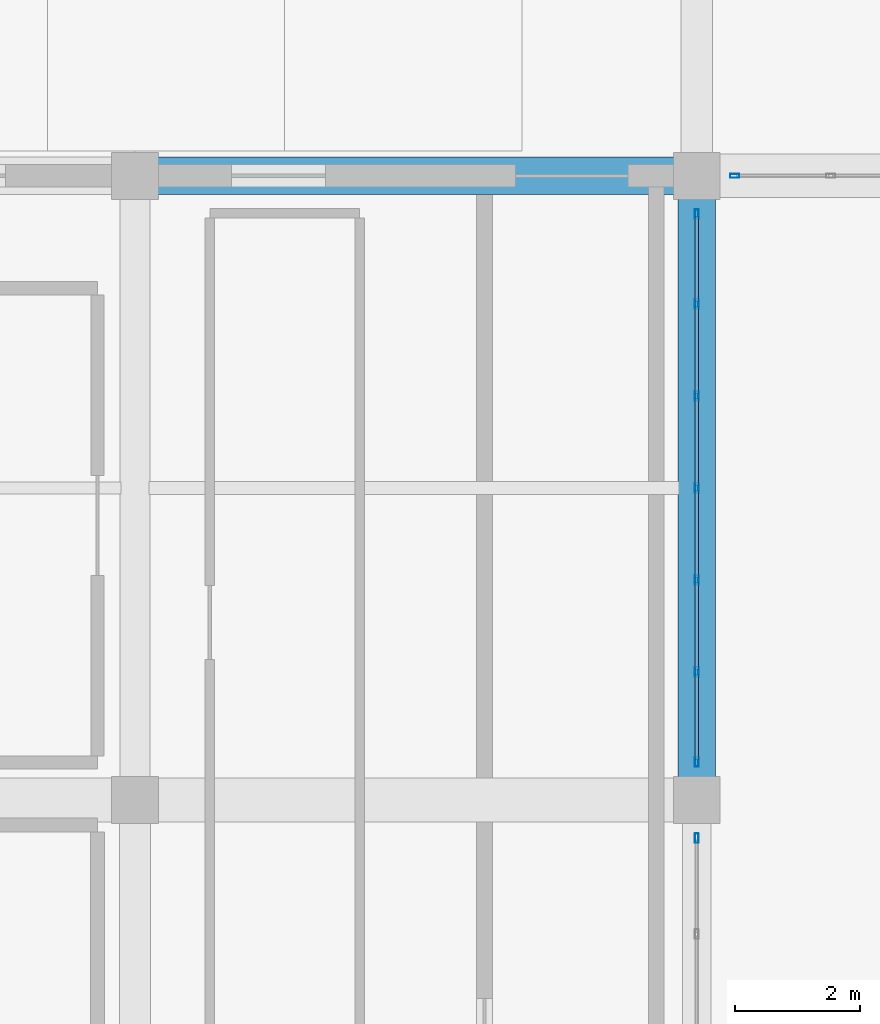
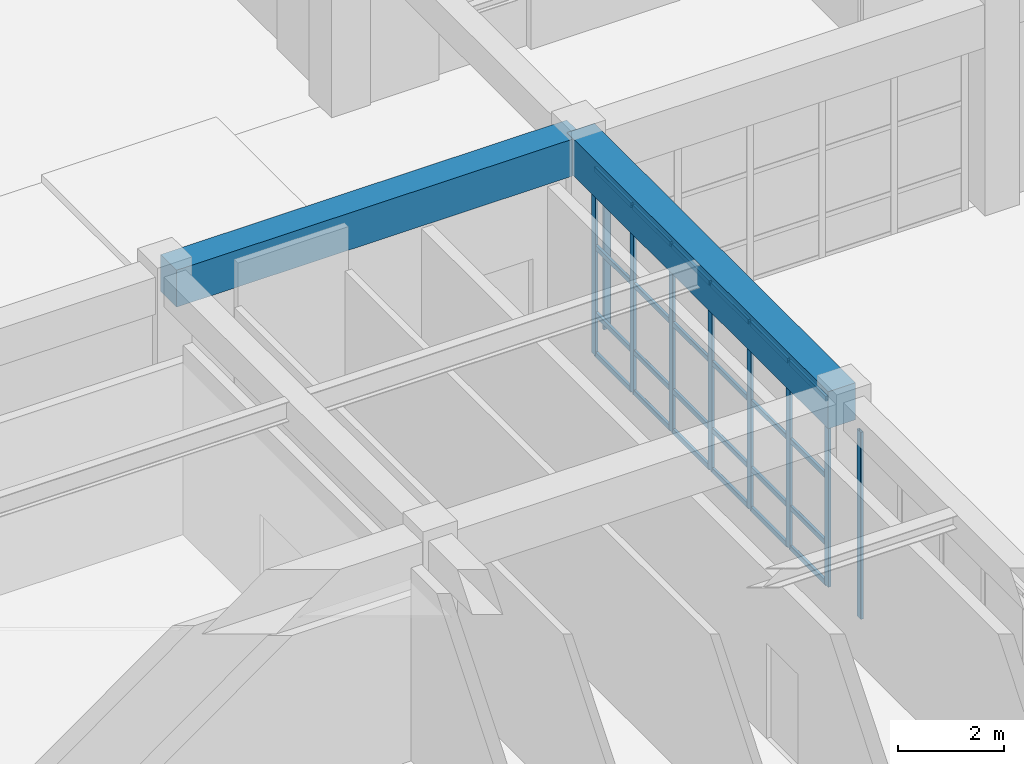
# One storey, part 25 of 128: 33 members, 2 beams, 3 elements without a shape of their own.
"""IFC4 building model written with IfcOpenShell, lengths in metres."""

from ifc_helpers import new_model, si_unit, direction, frame, origin, origin_2d, place, context, subcontext, project, spatial, rectangle, hollow_rectangle, extrude, material, material_profile, profile_set, type_object, element, aggregate, save


model = new_model("IFC4")

# Units and contexts
model_context = context("Model", 3, precision=1e-05, world=origin(), true_north=direction((0.0, 1.0)))
body_context = subcontext(model_context, "Body", "Model", "MODEL_VIEW")
ifc_project = project(units=[si_unit("LENGTHUNIT", "METRE"), si_unit("AREAUNIT", "SQUARE_METRE"), si_unit("VOLUMEUNIT", "CUBIC_METRE"), si_unit("PLANEANGLEUNIT", "RADIAN"), si_unit("MASSUNIT", "GRAM", prefix="KILO")], contexts=[model_context])

# Site, building, storey
site_placement = place(None, origin())
site = spatial("IfcSite", under=ifc_project, at=site_placement, CompositionType="ELEMENT")
building_placement = place(site_placement, origin())
building = spatial("IfcBuilding", under=site, at=building_placement, Name="Miravela Opera House", CompositionType="ELEMENT")
storey_placement = place(building_placement, origin())
storey = spatial("IfcBuildingStorey", under=building, at=storey_placement, Name="L00", CompositionType="ELEMENT", Elevation=0.0)

# Curtain wall, member
ifc_material_1 = material(Name="Anodised architectural bronze aluminium 6063-T6", Category="aluminium")
curtain_wall_type = type_object("IfcCurtainWallType", Name="ARC-CW-06", PredefinedType="NOTDEFINED", material=ifc_material_1)
curtain_wall_1_placement = place(storey_placement, origin())
curtain_wall_1 = element("IfcCurtainWall", 1, at=curtain_wall_1_placement, inside=storey, type_object=curtain_wall_type, Name="Courtyard Arcade Curtain Wall CW-L00-113", PredefinedType="NOTDEFINED")
ifc_material_profile_1 = material_profile(ifc_material_1, hollow_rectangle(XDim=0.06005859375, YDim=0.14990234375, WallThickness=0.00390625, InnerFilletRadius=0.001953125, OuterFilletRadius=0.00390625, at=origin_2d()), Name="CWM-60X150")
ifc_profile_set_1 = profile_set([ifc_material_profile_1])
member_type_1 = type_object("IfcMemberType", Name="ARC-CWM-150", PredefinedType="MULLION", material=ifc_profile_set_1)
member_1_placement = place(storey_placement, frame((27.610107421875, 28.0, 0.0), z_axis=(0.0, 0.0, 1.0), x_axis=(0.0, 1.0, 0.0)))
member_1 = element("IfcMember", 2, at=member_1_placement, type_object=member_type_1, Name="CW-06 mullion 1", PredefinedType="MULLION", context=body_context, shape_type="SweptSolid", body=[
    extrude(hollow_rectangle(XDim=0.06005859375, YDim=0.14990234375, WallThickness=0.00390625, InnerFilletRadius=0.001953125, OuterFilletRadius=0.00390625, at=origin_2d()), origin(), (0.0, 0.0, 1.0), 4.300048828125),
])
aggregate(curtain_wall_1, [member_1])

curtain_wall_2_placement = place(storey_placement, origin())
curtain_wall_2 = element("IfcCurtainWall", 3, at=curtain_wall_2_placement, inside=storey, type_object=curtain_wall_type, Name="Courtyard Arcade Curtain Wall CW-L00-121", PredefinedType="NOTDEFINED")
member_2_placement = place(storey_placement, frame((27.0, 17.389892578125, 0.0), z_axis=(0.0, 0.0, 1.0), x_axis=(-1.0, 0.0, 0.0)))
member_2 = element("IfcMember", 4, at=member_2_placement, type_object=member_type_1, Name="CW-06 mullion 6", PredefinedType="MULLION", context=body_context, shape_type="SweptSolid", body=[
    extrude(hollow_rectangle(XDim=0.06005859375, YDim=0.14990234375, WallThickness=0.00390625, InnerFilletRadius=0.001953125, OuterFilletRadius=0.00390625, at=origin_2d()), origin(), (0.0, 0.0, 1.0), 4.300048828125),
])
aggregate(curtain_wall_2, [member_2])

# Curtain wall, members
curtain_wall_3_placement = place(storey_placement, origin())
curtain_wall_3 = element("IfcCurtainWall", 5, at=curtain_wall_3_placement, inside=storey, type_object=curtain_wall_type, Name="Courtyard Arcade Curtain Wall CW-L00-122", PredefinedType="NOTDEFINED")
member_3_placement = place(storey_placement, frame((27.0, 18.610107421875, 0.0), z_axis=(0.0, 0.0, 1.0), x_axis=(-1.0, 0.0, 0.0)))
member_3 = element("IfcMember", 6, at=member_3_placement, type_object=member_type_1, Name="CW-06 mullion 1", PredefinedType="MULLION", context=body_context, shape_type="SweptSolid", body=[
    extrude(hollow_rectangle(XDim=0.06005859375, YDim=0.14990234375, WallThickness=0.00390625, InnerFilletRadius=0.001953125, OuterFilletRadius=0.00390625, at=origin_2d()), origin(), (0.0, 0.0, 1.0), 4.300048828125),
])
member_4_placement = place(storey_placement, frame((27.0, 20.05322265625, 0.0), z_axis=(0.0, 0.0, 1.0), x_axis=(-1.0, 0.0, 0.0)))
member_4 = element("IfcMember", 7, at=member_4_placement, type_object=member_type_1, Name="CW-06 mullion 2", PredefinedType="MULLION", context=body_context, shape_type="SweptSolid", body=[
    extrude(hollow_rectangle(XDim=0.06005859375, YDim=0.14990234375, WallThickness=0.00390625, InnerFilletRadius=0.001953125, OuterFilletRadius=0.00390625, at=origin_2d()), origin(), (0.0, 0.0, 1.0), 4.300048828125),
])
member_5_placement = place(storey_placement, frame((27.0, 21.526611328125, 0.0), z_axis=(0.0, 0.0, 1.0), x_axis=(-1.0, 0.0, 0.0)))
member_5 = element("IfcMember", 8, at=member_5_placement, type_object=member_type_1, Name="CW-06 mullion 3", PredefinedType="MULLION", context=body_context, shape_type="SweptSolid", body=[
    extrude(hollow_rectangle(XDim=0.06005859375, YDim=0.14990234375, WallThickness=0.00390625, InnerFilletRadius=0.001953125, OuterFilletRadius=0.00390625, at=origin_2d()), origin(), (0.0, 0.0, 1.0), 4.300048828125),
])
member_6_placement = place(storey_placement, frame((27.0, 23.0, 0.0), z_axis=(0.0, 0.0, 1.0), x_axis=(-1.0, 0.0, 0.0)))
member_6 = element("IfcMember", 9, at=member_6_placement, type_object=member_type_1, Name="CW-06 mullion 4", PredefinedType="MULLION", context=body_context, shape_type="SweptSolid", body=[
    extrude(hollow_rectangle(XDim=0.06005859375, YDim=0.14990234375, WallThickness=0.00390625, InnerFilletRadius=0.001953125, OuterFilletRadius=0.00390625, at=origin_2d()), origin(), (0.0, 0.0, 1.0), 4.300048828125),
])
member_7_placement = place(storey_placement, frame((27.0, 24.473388671875, 0.0), z_axis=(0.0, 0.0, 1.0), x_axis=(-1.0, 0.0, 0.0)))
member_7 = element("IfcMember", 10, at=member_7_placement, type_object=member_type_1, Name="CW-06 mullion 5", PredefinedType="MULLION", context=body_context, shape_type="SweptSolid", body=[
    extrude(hollow_rectangle(XDim=0.06005859375, YDim=0.14990234375, WallThickness=0.00390625, InnerFilletRadius=0.001953125, OuterFilletRadius=0.00390625, at=origin_2d()), origin(), (0.0, 0.0, 1.0), 4.300048828125),
])
member_8_placement = place(storey_placement, frame((27.0, 25.94677734375, 0.0), z_axis=(0.0, 0.0, 1.0), x_axis=(-1.0, 0.0, 0.0)))
member_8 = element("IfcMember", 11, at=member_8_placement, type_object=member_type_1, Name="CW-06 mullion 6", PredefinedType="MULLION", context=body_context, shape_type="SweptSolid", body=[
    extrude(hollow_rectangle(XDim=0.06005859375, YDim=0.14990234375, WallThickness=0.00390625, InnerFilletRadius=0.001953125, OuterFilletRadius=0.00390625, at=origin_2d()), origin(), (0.0, 0.0, 1.0), 4.300048828125),
])
member_9_placement = place(storey_placement, frame((27.0, 27.389892578125, 0.0), z_axis=(0.0, 0.0, 1.0), x_axis=(-1.0, 0.0, 0.0)))
member_9 = element("IfcMember", 12, at=member_9_placement, type_object=member_type_1, Name="CW-06 mullion 7", PredefinedType="MULLION", context=body_context, shape_type="SweptSolid", body=[
    extrude(hollow_rectangle(XDim=0.06005859375, YDim=0.14990234375, WallThickness=0.00390625, InnerFilletRadius=0.001953125, OuterFilletRadius=0.00390625, at=origin_2d()), origin(), (0.0, 0.0, 1.0), 4.300048828125),
])
ifc_material_profile_2 = material_profile(ifc_material_1, hollow_rectangle(XDim=0.06005859375, YDim=0.114990234375, WallThickness=0.00390625, InnerFilletRadius=0.001953125, OuterFilletRadius=0.00390625, at=origin_2d()), Name="CWT-60X115")
ifc_profile_set_2 = profile_set([ifc_material_profile_2])
member_type_2 = type_object("IfcMemberType", Name="ARC-CWT-115", PredefinedType="USERDEFINED", material=ifc_profile_set_2)
member_10_placement = place(storey_placement, frame((27.0, 18.639892578125, 0.030029296875), z_axis=(0.0, 1.0, 0.0), x_axis=(-1.0, 0.0, 0.0)))
member_10 = element("IfcMember", 13, at=member_10_placement, type_object=member_type_2, Name="CW-06 transom 1.1", ObjectType="TRANSOM", PredefinedType="USERDEFINED", context=body_context, shape_type="SweptSolid", body=[
    extrude(hollow_rectangle(XDim=0.06005859375, YDim=0.114990234375, WallThickness=0.00390625, InnerFilletRadius=0.001953125, OuterFilletRadius=0.00390625, at=origin_2d()), origin(), (0.0, 0.0, 1.0), 1.383544921875),
])
member_11_placement = place(storey_placement, frame((27.0, 18.639892578125, 0.949951171875), z_axis=(0.0, 1.0, 0.0), x_axis=(-1.0, 0.0, 0.0)))
member_11 = element("IfcMember", 14, at=member_11_placement, type_object=member_type_2, Name="CW-06 transom 1.2", ObjectType="TRANSOM", PredefinedType="USERDEFINED", context=body_context, shape_type="SweptSolid", body=[
    extrude(hollow_rectangle(XDim=0.06005859375, YDim=0.114990234375, WallThickness=0.00390625, InnerFilletRadius=0.001953125, OuterFilletRadius=0.00390625, at=origin_2d()), origin(), (0.0, 0.0, 1.0), 1.383544921875),
])
member_12_placement = place(storey_placement, frame((27.0, 18.639892578125, 2.493896484375), z_axis=(0.0, 1.0, 0.0), x_axis=(-1.0, 0.0, 0.0)))
member_12 = element("IfcMember", 15, at=member_12_placement, type_object=member_type_2, Name="CW-06 transom 1.3", ObjectType="TRANSOM", PredefinedType="USERDEFINED", context=body_context, shape_type="SweptSolid", body=[
    extrude(hollow_rectangle(XDim=0.06005859375, YDim=0.114990234375, WallThickness=0.00390625, InnerFilletRadius=0.001953125, OuterFilletRadius=0.00390625, at=origin_2d()), origin(), (0.0, 0.0, 1.0), 1.383544921875),
])
member_13_placement = place(storey_placement, frame((27.0, 18.639892578125, 4.27001953125), z_axis=(0.0, 1.0, 0.0), x_axis=(-1.0, 0.0, 0.0)))
member_13 = element("IfcMember", 16, at=member_13_placement, type_object=member_type_2, Name="CW-06 transom 1.4", ObjectType="TRANSOM", PredefinedType="USERDEFINED", context=body_context, shape_type="SweptSolid", body=[
    extrude(hollow_rectangle(XDim=0.06005859375, YDim=0.114990234375, WallThickness=0.00390625, InnerFilletRadius=0.001953125, OuterFilletRadius=0.00390625, at=origin_2d()), origin(), (0.0, 0.0, 1.0), 1.383544921875),
])
member_14_placement = place(storey_placement, frame((27.0, 20.083251953125, 0.030029296875), z_axis=(0.0, 1.0, 0.0), x_axis=(-1.0, 0.0, 0.0)))
member_14 = element("IfcMember", 17, at=member_14_placement, type_object=member_type_2, Name="CW-06 transom 2.1", ObjectType="TRANSOM", PredefinedType="USERDEFINED", context=body_context, shape_type="SweptSolid", body=[
    extrude(hollow_rectangle(XDim=0.06005859375, YDim=0.114990234375, WallThickness=0.00390625, InnerFilletRadius=0.001953125, OuterFilletRadius=0.00390625, at=origin_2d()), origin(), (0.0, 0.0, 1.0), 1.413330078125),
])
member_15_placement = place(storey_placement, frame((27.0, 20.083251953125, 0.949951171875), z_axis=(0.0, 1.0, 0.0), x_axis=(-1.0, 0.0, 0.0)))
member_15 = element("IfcMember", 18, at=member_15_placement, type_object=member_type_2, Name="CW-06 transom 2.2", ObjectType="TRANSOM", PredefinedType="USERDEFINED", context=body_context, shape_type="SweptSolid", body=[
    extrude(hollow_rectangle(XDim=0.06005859375, YDim=0.114990234375, WallThickness=0.00390625, InnerFilletRadius=0.001953125, OuterFilletRadius=0.00390625, at=origin_2d()), origin(), (0.0, 0.0, 1.0), 1.413330078125),
])
member_16_placement = place(storey_placement, frame((27.0, 20.083251953125, 2.493896484375), z_axis=(0.0, 1.0, 0.0), x_axis=(-1.0, 0.0, 0.0)))
member_16 = element("IfcMember", 19, at=member_16_placement, type_object=member_type_2, Name="CW-06 transom 2.3", ObjectType="TRANSOM", PredefinedType="USERDEFINED", context=body_context, shape_type="SweptSolid", body=[
    extrude(hollow_rectangle(XDim=0.06005859375, YDim=0.114990234375, WallThickness=0.00390625, InnerFilletRadius=0.001953125, OuterFilletRadius=0.00390625, at=origin_2d()), origin(), (0.0, 0.0, 1.0), 1.413330078125),
])
member_17_placement = place(storey_placement, frame((27.0, 20.083251953125, 4.27001953125), z_axis=(0.0, 1.0, 0.0), x_axis=(-1.0, 0.0, 0.0)))
member_17 = element("IfcMember", 20, at=member_17_placement, type_object=member_type_2, Name="CW-06 transom 2.4", ObjectType="TRANSOM", PredefinedType="USERDEFINED", context=body_context, shape_type="SweptSolid", body=[
    extrude(hollow_rectangle(XDim=0.06005859375, YDim=0.114990234375, WallThickness=0.00390625, InnerFilletRadius=0.001953125, OuterFilletRadius=0.00390625, at=origin_2d()), origin(), (0.0, 0.0, 1.0), 1.413330078125),
])
member_18_placement = place(storey_placement, frame((27.0, 21.556640625, 0.030029296875), z_axis=(0.0, 1.0, 0.0), x_axis=(-1.0, 0.0, 0.0)))
member_18 = element("IfcMember", 21, at=member_18_placement, type_object=member_type_2, Name="CW-06 transom 3.1", ObjectType="TRANSOM", PredefinedType="USERDEFINED", context=body_context, shape_type="SweptSolid", body=[
    extrude(hollow_rectangle(XDim=0.06005859375, YDim=0.114990234375, WallThickness=0.00390625, InnerFilletRadius=0.001953125, OuterFilletRadius=0.00390625, at=origin_2d()), origin(), (0.0, 0.0, 1.0), 1.413330078125),
])
member_19_placement = place(storey_placement, frame((27.0, 21.556640625, 0.949951171875), z_axis=(0.0, 1.0, 0.0), x_axis=(-1.0, 0.0, 0.0)))
member_19 = element("IfcMember", 22, at=member_19_placement, type_object=member_type_2, Name="CW-06 transom 3.2", ObjectType="TRANSOM", PredefinedType="USERDEFINED", context=body_context, shape_type="SweptSolid", body=[
    extrude(hollow_rectangle(XDim=0.06005859375, YDim=0.114990234375, WallThickness=0.00390625, InnerFilletRadius=0.001953125, OuterFilletRadius=0.00390625, at=origin_2d()), origin(), (0.0, 0.0, 1.0), 1.413330078125),
])
member_20_placement = place(storey_placement, frame((27.0, 21.556640625, 2.493896484375), z_axis=(0.0, 1.0, 0.0), x_axis=(-1.0, 0.0, 0.0)))
member_20 = element("IfcMember", 23, at=member_20_placement, type_object=member_type_2, Name="CW-06 transom 3.3", ObjectType="TRANSOM", PredefinedType="USERDEFINED", context=body_context, shape_type="SweptSolid", body=[
    extrude(hollow_rectangle(XDim=0.06005859375, YDim=0.114990234375, WallThickness=0.00390625, InnerFilletRadius=0.001953125, OuterFilletRadius=0.00390625, at=origin_2d()), origin(), (0.0, 0.0, 1.0), 1.413330078125),
])
member_21_placement = place(storey_placement, frame((27.0, 21.556640625, 4.27001953125), z_axis=(0.0, 1.0, 0.0), x_axis=(-1.0, 0.0, 0.0)))
member_21 = element("IfcMember", 24, at=member_21_placement, type_object=member_type_2, Name="CW-06 transom 3.4", ObjectType="TRANSOM", PredefinedType="USERDEFINED", context=body_context, shape_type="SweptSolid", body=[
    extrude(hollow_rectangle(XDim=0.06005859375, YDim=0.114990234375, WallThickness=0.00390625, InnerFilletRadius=0.001953125, OuterFilletRadius=0.00390625, at=origin_2d()), origin(), (0.0, 0.0, 1.0), 1.413330078125),
])
member_22_placement = place(storey_placement, frame((27.0, 23.030029296875, 0.030029296875), z_axis=(0.0, 1.0, 0.0), x_axis=(-1.0, 0.0, 0.0)))
member_22 = element("IfcMember", 25, at=member_22_placement, type_object=member_type_2, Name="CW-06 transom 4.1", ObjectType="TRANSOM", PredefinedType="USERDEFINED", context=body_context, shape_type="SweptSolid", body=[
    extrude(hollow_rectangle(XDim=0.06005859375, YDim=0.114990234375, WallThickness=0.00390625, InnerFilletRadius=0.001953125, OuterFilletRadius=0.00390625, at=origin_2d()), origin(), (0.0, 0.0, 1.0), 1.413330078125),
])
member_23_placement = place(storey_placement, frame((27.0, 23.030029296875, 0.949951171875), z_axis=(0.0, 1.0, 0.0), x_axis=(-1.0, 0.0, 0.0)))
member_23 = element("IfcMember", 26, at=member_23_placement, type_object=member_type_2, Name="CW-06 transom 4.2", ObjectType="TRANSOM", PredefinedType="USERDEFINED", context=body_context, shape_type="SweptSolid", body=[
    extrude(hollow_rectangle(XDim=0.06005859375, YDim=0.114990234375, WallThickness=0.00390625, InnerFilletRadius=0.001953125, OuterFilletRadius=0.00390625, at=origin_2d()), origin(), (0.0, 0.0, 1.0), 1.413330078125),
])
member_24_placement = place(storey_placement, frame((27.0, 23.030029296875, 2.493896484375), z_axis=(0.0, 1.0, 0.0), x_axis=(-1.0, 0.0, 0.0)))
member_24 = element("IfcMember", 27, at=member_24_placement, type_object=member_type_2, Name="CW-06 transom 4.3", ObjectType="TRANSOM", PredefinedType="USERDEFINED", context=body_context, shape_type="SweptSolid", body=[
    extrude(hollow_rectangle(XDim=0.06005859375, YDim=0.114990234375, WallThickness=0.00390625, InnerFilletRadius=0.001953125, OuterFilletRadius=0.00390625, at=origin_2d()), origin(), (0.0, 0.0, 1.0), 1.413330078125),
])
member_25_placement = place(storey_placement, frame((27.0, 23.030029296875, 4.27001953125), z_axis=(0.0, 1.0, 0.0), x_axis=(-1.0, 0.0, 0.0)))
member_25 = element("IfcMember", 28, at=member_25_placement, type_object=member_type_2, Name="CW-06 transom 4.4", ObjectType="TRANSOM", PredefinedType="USERDEFINED", context=body_context, shape_type="SweptSolid", body=[
    extrude(hollow_rectangle(XDim=0.06005859375, YDim=0.114990234375, WallThickness=0.00390625, InnerFilletRadius=0.001953125, OuterFilletRadius=0.00390625, at=origin_2d()), origin(), (0.0, 0.0, 1.0), 1.413330078125),
])
member_26_placement = place(storey_placement, frame((27.0, 24.50341796875, 0.030029296875), z_axis=(0.0, 1.0, 0.0), x_axis=(-1.0, 0.0, 0.0)))
member_26 = element("IfcMember", 29, at=member_26_placement, type_object=member_type_2, Name="CW-06 transom 5.1", ObjectType="TRANSOM", PredefinedType="USERDEFINED", context=body_context, shape_type="SweptSolid", body=[
    extrude(hollow_rectangle(XDim=0.06005859375, YDim=0.114990234375, WallThickness=0.00390625, InnerFilletRadius=0.001953125, OuterFilletRadius=0.00390625, at=origin_2d()), origin(), (0.0, 0.0, 1.0), 1.413330078125),
])
member_27_placement = place(storey_placement, frame((27.0, 24.50341796875, 0.949951171875), z_axis=(0.0, 1.0, 0.0), x_axis=(-1.0, 0.0, 0.0)))
member_27 = element("IfcMember", 30, at=member_27_placement, type_object=member_type_2, Name="CW-06 transom 5.2", ObjectType="TRANSOM", PredefinedType="USERDEFINED", context=body_context, shape_type="SweptSolid", body=[
    extrude(hollow_rectangle(XDim=0.06005859375, YDim=0.114990234375, WallThickness=0.00390625, InnerFilletRadius=0.001953125, OuterFilletRadius=0.00390625, at=origin_2d()), origin(), (0.0, 0.0, 1.0), 1.413330078125),
])
member_28_placement = place(storey_placement, frame((27.0, 24.50341796875, 2.493896484375), z_axis=(0.0, 1.0, 0.0), x_axis=(-1.0, 0.0, 0.0)))
member_28 = element("IfcMember", 31, at=member_28_placement, type_object=member_type_2, Name="CW-06 transom 5.3", ObjectType="TRANSOM", PredefinedType="USERDEFINED", context=body_context, shape_type="SweptSolid", body=[
    extrude(hollow_rectangle(XDim=0.06005859375, YDim=0.114990234375, WallThickness=0.00390625, InnerFilletRadius=0.001953125, OuterFilletRadius=0.00390625, at=origin_2d()), origin(), (0.0, 0.0, 1.0), 1.413330078125),
])
member_29_placement = place(storey_placement, frame((27.0, 24.50341796875, 4.27001953125), z_axis=(0.0, 1.0, 0.0), x_axis=(-1.0, 0.0, 0.0)))
member_29 = element("IfcMember", 32, at=member_29_placement, type_object=member_type_2, Name="CW-06 transom 5.4", ObjectType="TRANSOM", PredefinedType="USERDEFINED", context=body_context, shape_type="SweptSolid", body=[
    extrude(hollow_rectangle(XDim=0.06005859375, YDim=0.114990234375, WallThickness=0.00390625, InnerFilletRadius=0.001953125, OuterFilletRadius=0.00390625, at=origin_2d()), origin(), (0.0, 0.0, 1.0), 1.413330078125),
])
member_30_placement = place(storey_placement, frame((27.0, 25.9765625, 0.030029296875), z_axis=(0.0, 1.0, 0.0), x_axis=(-1.0, 0.0, 0.0)))
member_30 = element("IfcMember", 33, at=member_30_placement, type_object=member_type_2, Name="CW-06 transom 6.1", ObjectType="TRANSOM", PredefinedType="USERDEFINED", context=body_context, shape_type="SweptSolid", body=[
    extrude(hollow_rectangle(XDim=0.06005859375, YDim=0.114990234375, WallThickness=0.00390625, InnerFilletRadius=0.001953125, OuterFilletRadius=0.00390625, at=origin_2d()), origin(), (0.0, 0.0, 1.0), 1.383544921875),
])
member_31_placement = place(storey_placement, frame((27.0, 25.9765625, 0.949951171875), z_axis=(0.0, 1.0, 0.0), x_axis=(-1.0, 0.0, 0.0)))
member_31 = element("IfcMember", 34, at=member_31_placement, type_object=member_type_2, Name="CW-06 transom 6.2", ObjectType="TRANSOM", PredefinedType="USERDEFINED", context=body_context, shape_type="SweptSolid", body=[
    extrude(hollow_rectangle(XDim=0.06005859375, YDim=0.114990234375, WallThickness=0.00390625, InnerFilletRadius=0.001953125, OuterFilletRadius=0.00390625, at=origin_2d()), origin(), (0.0, 0.0, 1.0), 1.383544921875),
])
member_32_placement = place(storey_placement, frame((27.0, 25.9765625, 2.493896484375), z_axis=(0.0, 1.0, 0.0), x_axis=(-1.0, 0.0, 0.0)))
member_32 = element("IfcMember", 35, at=member_32_placement, type_object=member_type_2, Name="CW-06 transom 6.3", ObjectType="TRANSOM", PredefinedType="USERDEFINED", context=body_context, shape_type="SweptSolid", body=[
    extrude(hollow_rectangle(XDim=0.06005859375, YDim=0.114990234375, WallThickness=0.00390625, InnerFilletRadius=0.001953125, OuterFilletRadius=0.00390625, at=origin_2d()), origin(), (0.0, 0.0, 1.0), 1.383544921875),
])
member_33_placement = place(storey_placement, frame((27.0, 25.9765625, 4.27001953125), z_axis=(0.0, 1.0, 0.0), x_axis=(-1.0, 0.0, 0.0)))
member_33 = element("IfcMember", 36, at=member_33_placement, type_object=member_type_2, Name="CW-06 transom 6.4", ObjectType="TRANSOM", PredefinedType="USERDEFINED", context=body_context, shape_type="SweptSolid", body=[
    extrude(hollow_rectangle(XDim=0.06005859375, YDim=0.114990234375, WallThickness=0.00390625, InnerFilletRadius=0.001953125, OuterFilletRadius=0.00390625, at=origin_2d()), origin(), (0.0, 0.0, 1.0), 1.383544921875),
])
aggregate(curtain_wall_3, [member_3, member_4, member_5, member_6, member_7, member_8, member_9, member_10, member_11, member_12, member_13, member_14, member_15, member_16, member_17, member_18, member_19, member_20, member_21, member_22, member_23, member_24, member_25, member_26, member_27, member_28, member_29, member_30, member_31, member_32, member_33])

# Beams
ifc_material_2 = material(Name="Concrete C40/50", Category="concrete")
ifc_material_profile_3 = material_profile(ifc_material_2, rectangle(XDim=0.60009765625, YDim=0.85009765625, at=origin_2d()), Name="RC-BM-600X850")
ifc_profile_set_3 = profile_set([ifc_material_profile_3])
beam_type = type_object("IfcBeamType", Name="STR-BM-RC600X850", PredefinedType="BEAM", material=ifc_profile_set_3)
beam_1_placement = place(storey_placement, frame((18.080078125, 28.0, 4.425048828125), z_axis=(1.0, 0.0, 0.0), x_axis=(0.0, 1.0, 0.0)))
element("IfcBeam", 37, at=beam_1_placement, inside=storey, type_object=beam_type, Name="Floor Girder L00 3-4/D", PredefinedType="BEAM", context=body_context, shape_type="SweptSolid", body=[
    extrude(rectangle(XDim=0.60009765625, YDim=0.85009765625, at=origin_2d()), origin(), (0.0, 0.0, 1.0), 8.83984375),
])
beam_2_placement = place(storey_placement, frame((27.0, 18.080078125, 4.445068359375), z_axis=(0.0, 1.0, 0.0), x_axis=(-1.0, 0.0, 0.0)))
element("IfcBeam", 38, at=beam_2_placement, inside=storey, type_object=beam_type, Name="Floor Girder L00 4/C-D", PredefinedType="BEAM", context=body_context, shape_type="SweptSolid", body=[
    extrude(rectangle(XDim=0.60009765625, YDim=0.85009765625, at=origin_2d()), origin(), (0.0, 0.0, 1.0), 9.83984375),
])

save(model, "model.ifc")
